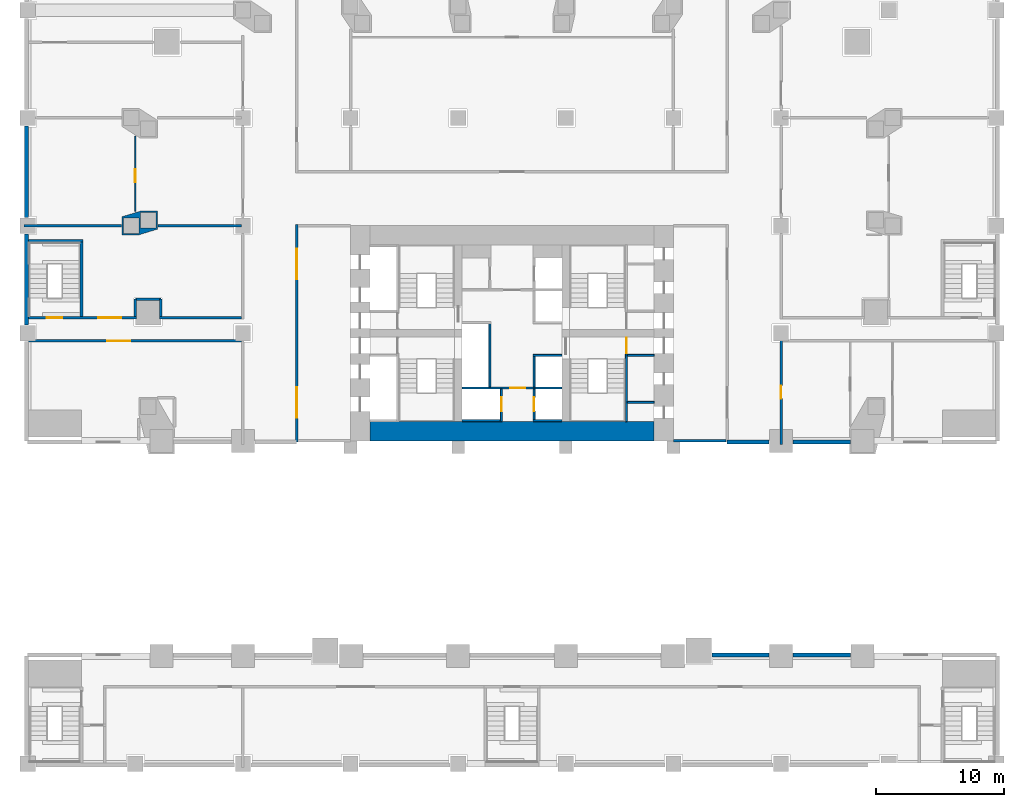
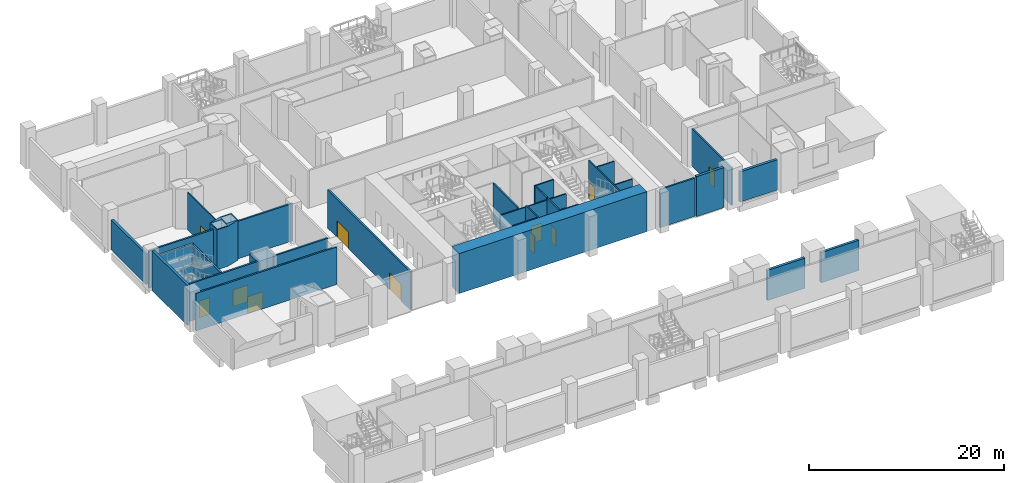
# One storey, part 5 of 16: 33 walls, 11 doors, 11 openings.
"""IFC4 building model written with IfcOpenShell, lengths in metres."""

from ifc_helpers import new_model, si_unit, direction, frame, frame_2d, origin, place, context, subcontext, project, spatial, polyline, rectangle, outline, extrude, material, layer, layer_set, type_object, element, fill, save


model = new_model("IFC4")

# Units and contexts
model_context = context("Model", 3, precision=1e-05, world=origin(), true_north=direction((0.0, 1.0)))
body_context = subcontext(model_context, "Body", "Model", "MODEL_VIEW")
ifc_project = project(units=[si_unit("LENGTHUNIT", "METRE"), si_unit("AREAUNIT", "SQUARE_METRE"), si_unit("VOLUMEUNIT", "CUBIC_METRE"), si_unit("PLANEANGLEUNIT", "RADIAN"), si_unit("MASSUNIT", "GRAM", prefix="KILO")], contexts=[model_context])

# Site, building, storey
site_placement = place(None, origin())
site = spatial("IfcSite", under=ifc_project, at=site_placement, CompositionType="ELEMENT")
building_placement = place(site_placement, origin())
building = spatial("IfcBuilding", under=site, at=building_placement, Name="Marenta Gate Hotel Tower", CompositionType="ELEMENT")
storey_placement = place(building_placement, frame((0.0, 0.0, 21.0)))
storey = spatial("IfcBuildingStorey", under=building, at=storey_placement, Name="L03", CompositionType="ELEMENT", Elevation=21.0)

# Walls
ifc_material_1 = material(Name="Concrete C40 board-marked", Category="concrete")
ifc_layer_1 = layer(ifc_material_1, 0.300048828125)
ifc_layer_set_1 = layer_set([ifc_layer_1], Name="Concrete C40 board-marked")
wall_type_1 = type_object("IfcWallType", Name="Board-marked concrete wall 300 mm", PredefinedType="NOTDEFINED", material=ifc_layer_set_1)
wall_1_placement = place(storey_placement, frame((26.423095703125, -16.7099609375, 0.0), z_axis=(0.0, 0.0, 1.0), x_axis=(-1.0, 0.0, 0.0)))
element("IfcWall", 1, at=wall_1_placement, inside=storey, type_object=wall_type_1, Name="L03-CLD-SB-N001", PredefinedType="NOTDEFINED", context=body_context, shape_type="SweptSolid", body=[
    extrude(rectangle(XDim=4.483154296875, YDim=0.300048828125, at=frame_2d((2.24169921875, 0.0))), origin(), (0.0, 0.0, 1.0), 3.780029296875),
])
wall_2_placement = place(storey_placement, frame((20.06005859375, -16.7099609375, 0.0), z_axis=(0.0, 0.0, 1.0), x_axis=(-1.0, 0.0, 0.0)))
element("IfcWall", 2, at=wall_2_placement, inside=storey, type_object=wall_type_1, Name="L03-CLD-SB-N002", PredefinedType="NOTDEFINED", context=body_context, shape_type="SweptSolid", body=[
    extrude(rectangle(XDim=4.453857421875, YDim=0.300048828125, at=frame_2d((2.22705078125, 0.0))), origin(), (0.0, 0.0, 1.0), 3.780029296875),
])
wall_3_placement = place(storey_placement, frame((16.800048828125, -0.090087890625, 0.0), z_axis=(0.0, 0.0, 1.0), x_axis=(1.0, 0.0, 0.0)))
element("IfcWall", 3, at=wall_3_placement, inside=storey, type_object=wall_type_1, Name="L03-CLD-NB-S100", PredefinedType="NOTDEFINED", context=body_context, shape_type="SweptSolid", body=[
    extrude(rectangle(XDim=3.260009765625, YDim=0.300048828125, at=frame_2d((1.6298828125, 0.0))), origin(), (0.0, 0.0, 1.0), 5.0),
])
wall_4_placement = place(storey_placement, frame((21.93994140625, -0.090087890625, 0.0), z_axis=(0.0, 0.0, 1.0), x_axis=(1.0, 0.0, 0.0)))
element("IfcWall", 4, at=wall_4_placement, inside=storey, type_object=wall_type_1, Name="L03-CLD-NB-S101", PredefinedType="NOTDEFINED", context=body_context, shape_type="SweptSolid", body=[
    extrude(rectangle(XDim=4.483154296875, YDim=0.300048828125, at=frame_2d((2.24169921875, 0.0))), origin(), (0.0, 0.0, 1.0), 3.780029296875),
])
wall_5_placement = place(storey_placement, frame((-37.889892578125, 24.56005859375, 0.0), z_axis=(0.0, 0.0, 1.0), x_axis=(0.0, -1.0, 0.0)))
element("IfcWall", 5, at=wall_5_placement, inside=storey, type_object=wall_type_1, Name="L03-CLD-NB-W002", PredefinedType="NOTDEFINED", context=body_context, shape_type="SweptSolid", body=[
    extrude(rectangle(XDim=7.1201171875, YDim=0.300048828125, at=frame_2d((3.56005859375, 0.0))), origin(), (0.0, 0.0, 1.0), 3.780029296875),
])
wall_6_placement = place(storey_placement, frame((-37.889892578125, 16.159912109375, 0.0), z_axis=(0.0, 0.0, 1.0), x_axis=(0.0, -1.0, 0.0)))
element("IfcWall", 6, at=wall_6_placement, inside=storey, type_object=wall_type_1, Name="L03-CLD-NB-W003", PredefinedType="NOTDEFINED", context=body_context, shape_type="SweptSolid", body=[
    extrude(rectangle(XDim=7.119873046875, YDim=0.300048828125, at=frame_2d((3.56005859375, 0.0))), origin(), (0.0, 0.0, 1.0), 5.0),
])

# Wall, openings, doors
ifc_material_2 = material(Name="Concrete blockwork", Category="masonry")
ifc_layer_2 = layer(ifc_material_2, 0.199951171875)
ifc_layer_set_2 = layer_set([ifc_layer_2], Name="Concrete blockwork")
wall_type_2 = type_object("IfcWallType", Name="Core boundary wall 200 REI 180", PredefinedType="PARTITIONING", material=ifc_layer_set_2)
wall_7_placement = place(storey_placement, frame((-16.800048828125, -0.10009765625, 0.0), z_axis=(0.0, 0.0, 1.0), x_axis=(0.0, 1.0, 0.0)))
wall_7 = element("IfcWall", 7, at=wall_7_placement, inside=storey, type_object=wall_type_2, Name="L03-CP-BW-W", PredefinedType="PARTITIONING", context=body_context, shape_type="SweptSolid", body=[
    extrude(rectangle(XDim=17.0, YDim=0.199951171875, at=frame_2d((8.5, 0.0))), origin(), (0.0, 0.0, 1.0), 4.780029296875),
])
opening_1_placement = place(wall_7_placement, frame((1.89990234375, 0.0, 0.0)))
opening_1 = element("IfcOpeningElement", 8, at=opening_1_placement, cuts=wall_7, Name="Opening ED-Wa-A", PredefinedType="OPENING", context=body_context, shape_type="SweptSolid", body=[
    extrude(rectangle(XDim=2.39990234375, YDim=2.10009765625, at=frame_2d((1.199951171875, 1.050048828125))), frame((0.0, 0.10009765625, 0.0), z_axis=(0.0, -1.0, 0.0), x_axis=(1.0, 0.0, 0.0)), (0.0, 0.0, 1.0), 0.199951171875),
])
opening_2_placement = place(wall_7_placement, frame((12.699951171875, 0.0, 0.0)))
opening_2 = element("IfcOpeningElement", 9, at=opening_2_placement, cuts=wall_7, Name="Opening ED-Wb-A", PredefinedType="OPENING", context=body_context, shape_type="SweptSolid", body=[
    extrude(rectangle(XDim=2.39990234375, YDim=2.10009765625, at=frame_2d((1.199951171875, 1.050048828125))), frame((0.0, 0.10009765625, 0.0), z_axis=(0.0, -1.0, 0.0), x_axis=(1.0, 0.0, 0.0)), (0.0, 0.0, 1.0), 0.199951171875),
])
ifc_material_3 = material(Name="Steel", Category="steel")
door_type_1 = type_object("IfcDoorType", Name="Core lobby entrance door 2400x2100 EI 60", OperationType="DOUBLE_DOOR_SINGLE_SWING", PredefinedType="DOOR", material=ifc_material_3)
door_1_placement = place(opening_1_placement, origin())
door_1 = element("IfcDoor", 10, at=door_1_placement, inside=storey, type_object=door_type_1, Name="ED-Wa-A", OperationType="DOUBLE_DOOR_SINGLE_SWING", OverallHeight=2.10009765625, OverallWidth=2.39990234375, PredefinedType="DOOR", context=body_context, shape_type="SweptSolid", body=[
    extrude(rectangle(XDim=2.39990234375, YDim=2.10009765625, at=frame_2d((1.199951171875, 1.050048828125))), frame((0.0, 0.02490234375, 0.0), z_axis=(0.0, -1.0, 0.0), x_axis=(1.0, 0.0, 0.0)), (0.0, 0.0, 1.0), 0.050048828125),
])
fill(opening_1, door_1)
door_2_placement = place(opening_2_placement, origin())
door_2 = element("IfcDoor", 11, at=door_2_placement, inside=storey, type_object=door_type_1, Name="ED-Wb-A", OperationType="DOUBLE_DOOR_SINGLE_SWING", OverallHeight=2.10009765625, OverallWidth=2.39990234375, PredefinedType="DOOR", context=body_context, shape_type="SweptSolid", body=[
    extrude(rectangle(XDim=2.39990234375, YDim=2.10009765625, at=frame_2d((1.199951171875, 1.050048828125))), frame((0.0, 0.02490234375, 0.0), z_axis=(0.0, -1.0, 0.0), x_axis=(1.0, 0.0, 0.0)), (0.0, 0.0, 1.0), 0.050048828125),
])
fill(opening_2, door_2)

# Wall
wall_8_placement = place(storey_placement, frame((12.60009765625, 0.0, 0.0), z_axis=(0.0, 0.0, 1.0), x_axis=(1.0, 0.0, 0.0)))
element("IfcWall", 12, at=wall_8_placement, inside=storey, type_object=wall_type_2, Name="L03-CP-EW-ES", PredefinedType="PARTITIONING", context=body_context, shape_type="SweptSolid", body=[
    extrude(rectangle(XDim=4.099853515625, YDim=0.199951171875, at=frame_2d((2.0498046875, 0.0))), origin(), (0.0, 0.0, 1.0), 4.780029296875),
])

# Wall, opening, door
ifc_material_4 = material(Name="Concrete blockwork", Category="masonry")
ifc_layer_3 = layer(ifc_material_4, 0.14990234375)
ifc_layer_set_3 = layer_set([ifc_layer_3], Name="Concrete blockwork")
wall_type_3 = type_object("IfcWallType", Name="Core lobby partition 150 REI 180", PredefinedType="PARTITIONING", material=ifc_layer_set_3)
wall_9_placement = place(storey_placement, frame((-3.89990234375, 4.125, 0.0), z_axis=(0.0, 0.0, 1.0), x_axis=(1.0, 0.0, 0.0)))
wall_9 = element("IfcWall", 13, at=wall_9_placement, inside=storey, type_object=wall_type_3, Name="L03-CP-CW-S", PredefinedType="PARTITIONING", context=body_context, shape_type="SweptSolid", body=[
    extrude(rectangle(XDim=7.7998046875, YDim=0.14990234375, at=frame_2d((3.89990234375, 0.0))), origin(), (0.0, 0.0, 1.0), 4.780029296875),
])
opening_3_placement = place(wall_9_placement, frame((3.75, 0.0, 0.0)))
opening_3 = element("IfcOpeningElement", 14, at=opening_3_placement, cuts=wall_9, Name="Opening FD-FFS", PredefinedType="OPENING", context=body_context, shape_type="SweptSolid", body=[
    extrude(rectangle(XDim=1.199951171875, YDim=2.10009765625, at=frame_2d((0.60009765625, 1.050048828125))), frame((0.0, 0.074951171875, 0.0), z_axis=(0.0, -1.0, 0.0), x_axis=(1.0, 0.0, 0.0)), (0.0, 0.0, 1.0), 0.14990234375),
])
ifc_material_5 = material(Name="Steel", Category="steel")
door_type_2 = type_object("IfcDoorType", Name="Core lobby door 1200x2100 FD60", OperationType="SINGLE_SWING_LEFT", PredefinedType="DOOR", material=ifc_material_5)
door_3_placement = place(opening_3_placement, origin())
door_3 = element("IfcDoor", 15, at=door_3_placement, inside=storey, type_object=door_type_2, Name="FD-FFS", OperationType="SINGLE_SWING_LEFT", OverallHeight=2.10009765625, OverallWidth=1.199951171875, PredefinedType="DOOR", context=body_context, shape_type="SweptSolid", body=[
    extrude(rectangle(XDim=1.199951171875, YDim=2.10009765625, at=frame_2d((0.60009765625, 1.050048828125))), frame((0.0, 0.02490234375, 0.0), z_axis=(0.0, -1.0, 0.0), x_axis=(1.0, 0.0, 0.0)), (0.0, 0.0, 1.0), 0.050048828125),
])
fill(opening_3, door_3)

# Walls
ifc_material_6 = material(Name="Concrete blockwork", Category="masonry")
ifc_layer_4 = layer(ifc_material_6, 0.14990234375)
ifc_layer_set_4 = layer_set([ifc_layer_4], Name="Concrete blockwork")
wall_type_4 = type_object("IfcWallType", Name="Core room partition 150 REI 180", PredefinedType="PARTITIONING", material=ifc_layer_set_4)
for number, where, z_axis, x_axis, name in (
    (16, (9.0, 6.675048828125, 0.0), (0.0, 0.0, 1.0), (1.0, 0.0, 0.0), "L03-CP-SW-ES-2"),
    (17, (9.0, 3.0, 0.0), (0.0, 0.0, 1.0), (1.0, 0.0, 0.0), "L03-CP-RW-ES-1"),
):
    element("IfcWall", number, at=place(storey_placement, frame(where, z_axis=z_axis, x_axis=x_axis)), inside=storey, type_object=wall_type_4, Name=name, PredefinedType="PARTITIONING", context=body_context, shape_type="SweptSolid", body=[
        extrude(rectangle(XDim=2.10009765625, YDim=0.14990234375, at=frame_2d((1.050048828125, 0.0))), origin(), (0.0, 0.0, 1.0), 4.780029296875),
    ])

# Wall, opening, door
ifc_material_7 = material(Name="Concrete C40", Category="concrete")
ifc_layer_5 = layer(ifc_material_7, 0.14990234375)
ifc_layer_set_5 = layer_set([ifc_layer_5], Name="Concrete C40")
wall_type_5 = type_object("IfcWallType", Name="Core shaft wall 150 REI 180", PredefinedType="SHEAR", material=ifc_layer_set_5)
wall_10_placement = place(storey_placement, frame((-0.824951171875, 1.5, 0.0), z_axis=(0.0, 0.0, 1.0), x_axis=(0.0, 1.0, 0.0)))
wall_10 = element("IfcWall", 18, at=wall_10_placement, inside=storey, type_object=wall_type_5, Name="L03-SHF-CW-W-ff", PredefinedType="SHEAR", context=body_context, shape_type="SweptSolid", body=[
    extrude(rectangle(XDim=2.550048828125, YDim=0.14990234375, at=frame_2d((1.27490234375, 0.0))), origin(), (0.0, 0.0, 1.0), 5.0),
])
opening_4_placement = place(wall_10_placement, frame((0.800048828125, 0.0, 0.0)))
opening_4 = element("IfcOpeningElement", 19, at=opening_4_placement, cuts=wall_10, Name="Opening LD-FF1", PredefinedType="OPENING", context=body_context, shape_type="SweptSolid", body=[
    extrude(rectangle(XDim=1.10009765625, YDim=2.10009765625, at=frame_2d((0.550048828125, 1.050048828125))), frame((0.0, 0.074951171875, 0.0), z_axis=(0.0, -1.0, 0.0), x_axis=(1.0, 0.0, 0.0)), (0.0, 0.0, 1.0), 0.14990234375),
])
ifc_material_8 = material(Name="Steel", Category="steel")
door_type_3 = type_object("IfcDoorType", Name="Core lift landing door 1100x2100 E 60", OperationType="SLIDING_TO_LEFT", PredefinedType="DOOR", material=ifc_material_8)
door_4_placement = place(opening_4_placement, origin())
door_4 = element("IfcDoor", 20, at=door_4_placement, inside=storey, type_object=door_type_3, Name="LD-FF1", OperationType="SLIDING_TO_LEFT", OverallHeight=2.10009765625, OverallWidth=1.10009765625, PredefinedType="DOOR", context=body_context, shape_type="SweptSolid", body=[
    extrude(rectangle(XDim=1.10009765625, YDim=2.10009765625, at=frame_2d((0.550048828125, 1.050048828125))), frame((0.0, 0.02490234375, 0.0), z_axis=(0.0, -1.0, 0.0), x_axis=(1.0, 0.0, 0.0)), (0.0, 0.0, 1.0), 0.050048828125),
])
fill(opening_4, door_4)

# Walls
wall_11_placement = place(storey_placement, frame((-3.89990234375, 1.574951171875, 0.0), z_axis=(0.0, 0.0, 1.0), x_axis=(1.0, 0.0, 0.0)))
element("IfcWall", 21, at=wall_11_placement, inside=storey, type_object=wall_type_5, Name="L03-SHF-CW-W-ffs", PredefinedType="SHEAR", context=body_context, shape_type="SweptSolid", body=[
    extrude(rectangle(XDim=3.0, YDim=0.14990234375, at=frame_2d((1.5, 0.0))), origin(), (0.0, 0.0, 1.0), 5.0),
])
wall_12_placement = place(storey_placement, frame((-1.72509765625, 4.199951171875, 0.0), z_axis=(0.0, 0.0, 1.0), x_axis=(0.0, 1.0, 0.0)))
element("IfcWall", 22, at=wall_12_placement, inside=storey, type_object=wall_type_5, Name="L03-SHF-CW-W-front", PredefinedType="SHEAR", context=body_context, shape_type="SweptSolid", body=[
    extrude(rectangle(XDim=4.949951171875, YDim=0.14990234375, at=frame_2d((2.47509765625, 0.0))), origin(), (0.0, 0.0, 1.0), 5.0),
])

# Wall, opening, door
wall_13_placement = place(storey_placement, frame((1.72509765625, 1.64990234375, 0.0), z_axis=(0.0, 0.0, 1.0), x_axis=(0.0, 1.0, 0.0)))
wall_13 = element("IfcWall", 23, at=wall_13_placement, inside=storey, type_object=wall_type_5, Name="L03-SHF-CE-S-ls", PredefinedType="SHEAR", context=body_context, shape_type="SweptSolid", body=[
    extrude(rectangle(XDim=2.400146484375, YDim=0.14990234375, at=frame_2d((1.2001953125, 0.0))), origin(), (0.0, 0.0, 1.0), 5.0),
])
opening_5_placement = place(wall_13_placement, frame((0.64990234375, 0.0, 0.0)))
opening_5 = element("IfcOpeningElement", 24, at=opening_5_placement, cuts=wall_13, Name="Opening LD-SV1", PredefinedType="OPENING", context=body_context, shape_type="SweptSolid", body=[
    extrude(rectangle(XDim=1.10009765625, YDim=2.10009765625, at=frame_2d((0.550048828125, 1.050048828125))), frame((0.0, 0.074951171875, 0.0), z_axis=(0.0, -1.0, 0.0), x_axis=(1.0, 0.0, 0.0)), (0.0, 0.0, 1.0), 0.14990234375),
])
door_5_placement = place(opening_5_placement, origin())
door_5 = element("IfcDoor", 25, at=door_5_placement, inside=storey, type_object=door_type_3, Name="LD-SV1", OperationType="SLIDING_TO_LEFT", OverallHeight=2.10009765625, OverallWidth=1.10009765625, PredefinedType="DOOR", context=body_context, shape_type="SweptSolid", body=[
    extrude(rectangle(XDim=1.10009765625, YDim=2.10009765625, at=frame_2d((0.550048828125, 1.050048828125))), frame((0.0, 0.02490234375, 0.0), z_axis=(0.0, -1.0, 0.0), x_axis=(1.0, 0.0, 0.0)), (0.0, 0.0, 1.0), 0.050048828125),
])
fill(opening_5, door_5)

# Walls
for number, where, z_axis, x_axis, name in (
    (26, (1.64990234375, 1.574951171875, 0.0), (0.0, 0.0, 1.0), (1.0, 0.0, 0.0), "L03-SHF-CE-S-bot"),
    (27, (1.64990234375, 6.675048828125, 0.0), (0.0, 0.0, 1.0), (1.0, 0.0, 0.0), "L03-SHF-CE-sep1"),
):
    element("IfcWall", number, at=place(storey_placement, frame(where, z_axis=z_axis, x_axis=x_axis)), inside=storey, type_object=wall_type_5, Name=name, PredefinedType="SHEAR", context=body_context, shape_type="SweptSolid", body=[
        extrude(rectangle(XDim=2.25, YDim=0.14990234375, at=frame_2d((1.125, 0.0))), origin(), (0.0, 0.0, 1.0), 5.0),
    ])
wall_14_placement = place(storey_placement, frame((1.72509765625, 4.199951171875, 0.0), z_axis=(0.0, 0.0, 1.0), x_axis=(0.0, 1.0, 0.0)))
element("IfcWall", 28, at=wall_14_placement, inside=storey, type_object=wall_type_5, Name="L03-SHF-CE-front-1", PredefinedType="SHEAR", context=body_context, shape_type="SweptSolid", body=[
    extrude(rectangle(XDim=2.400146484375, YDim=0.14990234375, at=frame_2d((1.2001953125, 0.0))), origin(), (0.0, 0.0, 1.0), 5.0),
])

# Wall, opening, door
ifc_material_9 = material(Name="Concrete C40", Category="concrete")
ifc_layer_6 = layer(ifc_material_9, 0.14990234375)
ifc_layer_set_6 = layer_set([ifc_layer_6], Name="Concrete C40")
wall_type_6 = type_object("IfcWallType", Name="Core stair enclosure wall 150 REI 180", PredefinedType="SHEAR", material=ifc_layer_set_6)
wall_15_placement = place(storey_placement, frame((8.925048828125, 1.5, 0.0), z_axis=(0.0, 0.0, 1.0), x_axis=(0.0, 1.0, 0.0)))
wall_15 = element("IfcWall", 29, at=wall_15_placement, inside=storey, type_object=wall_type_6, Name="L03-SHF-SW-ES-3", PredefinedType="SHEAR", context=body_context, shape_type="SweptSolid", body=[
    extrude(rectangle(XDim=6.60009765625, YDim=0.14990234375, at=frame_2d((3.300048828125, 0.0))), origin(), (0.0, 0.0, 1.0), 4.780029296875),
])
opening_6_placement = place(wall_15_placement, frame((5.324951171875, 0.0, 0.0)))
opening_6 = element("IfcOpeningElement", 30, at=opening_6_placement, cuts=wall_15, Name="Opening SD-ES", PredefinedType="OPENING", context=body_context, shape_type="SweptSolid", body=[
    extrude(rectangle(XDim=1.199951171875, YDim=2.10009765625, at=frame_2d((0.60009765625, 1.050048828125))), frame((0.0, 0.074951171875, 0.0), z_axis=(0.0, -1.0, 0.0), x_axis=(1.0, 0.0, 0.0)), (0.0, 0.0, 1.0), 0.14990234375),
])
ifc_material_10 = material(Name="Steel", Category="steel")
door_type_4 = type_object("IfcDoorType", Name="Core stair door 1200x2100 FD60", OperationType="SINGLE_SWING_LEFT", PredefinedType="DOOR", material=ifc_material_10)
door_6_placement = place(opening_6_placement, origin())
door_6 = element("IfcDoor", 31, at=door_6_placement, inside=storey, type_object=door_type_4, Name="SD-ES", OperationType="SINGLE_SWING_LEFT", OverallHeight=2.10009765625, OverallWidth=1.199951171875, PredefinedType="DOOR", context=body_context, shape_type="SweptSolid", body=[
    extrude(rectangle(XDim=1.199951171875, YDim=2.10009765625, at=frame_2d((0.60009765625, 1.050048828125))), frame((0.0, 0.02490234375, 0.0), z_axis=(0.0, -1.0, 0.0), x_axis=(1.0, 0.0, 0.0)), (0.0, 0.0, 1.0), 0.050048828125),
])
fill(opening_6, door_6)

# Walls
ifc_material_11 = material(Name="Concrete C80", Category="concrete")
ifc_layer_7 = layer(ifc_material_11, 1.5)
ifc_layer_set_7 = layer_set([ifc_layer_7], Name="Concrete C80")
wall_type_7 = type_object("IfcWallType", Name="Core wall 1500 C80", PredefinedType="SHEAR", material=ifc_layer_set_7)
wall_16_placement = place(storey_placement, frame((-11.10009765625, 0.75, 0.0), z_axis=(0.0, 0.0, 1.0), x_axis=(1.0, 0.0, 0.0)))
element("IfcWall", 32, at=wall_16_placement, inside=storey, type_object=wall_type_7, Name="L03-CORE-S", PredefinedType="SHEAR", context=body_context, shape_type="SweptSolid", body=[
    extrude(rectangle(XDim=22.2001953125, YDim=1.5, at=frame_2d((11.10009765625, 0.0))), origin(), (0.0, 0.0, 1.0), 5.0),
])
ifc_material_12 = material(Name="Concrete C70", Category="concrete")
ifc_layer_8 = layer(ifc_material_12, 1.60009765625)
ifc_layer_set_8 = layer_set([ifc_layer_8], Name="Concrete C70")
wall_type_8 = type_object("IfcWallType", Name="Pier wall board-marked concrete C70", PredefinedType="SOLIDWALL", material=ifc_layer_set_8)
wall_17_placement = place(storey_placement, origin())
element("IfcWall", 33, at=wall_17_placement, inside=storey, type_object=wall_type_8, Name="L03-PIER-2", PredefinedType="SOLIDWALL", context=body_context, shape_type="SweptSolid", body=[
    extrude(outline(polyline([(-30.43994140625, 17.48876953125), (-29.017822265625, 17.923095703125), (-27.679931640625, 17.923095703125), (-27.679931640625, 16.514404296875), (-29.10205078125, 16.080078125), (-30.43994140625, 16.080078125), (-30.43994140625, 17.48876953125)]), holes=[polyline([(-29.0, 16.603271484375), (-27.800048828125, 16.603271484375), (-27.800048828125, 17.80322265625), (-29.0, 17.80322265625), (-29.0, 16.603271484375)]), polyline([(-30.320068359375, 16.199951171875), (-29.1201171875, 16.199951171875), (-29.1201171875, 17.39990234375), (-30.320068359375, 17.39990234375), (-30.320068359375, 16.199951171875)])]), origin(), (0.0, 0.0, 1.0), 5.0),
])

# Wall, opening, door
ifc_material_13 = material(Name="Gypsum board on steel stud", Category="steel")
ifc_layer_9 = layer(ifc_material_13, 0.199951171875)
ifc_layer_set_9 = layer_set([ifc_layer_9], Name="Gypsum board on steel stud")
wall_type_9 = type_object("IfcWallType", Name="Room corridor wall 200 EI 60", PredefinedType="PARTITIONING", material=ifc_layer_set_9)
wall_18_placement = place(storey_placement, frame((21.0, -0.300048828125, 0.0), z_axis=(0.0, 0.0, 1.0), x_axis=(0.0, 1.0, 0.0)))
wall_18 = element("IfcWall", 34, at=wall_18_placement, inside=storey, type_object=wall_type_9, Name="L03-PTN-W017", PredefinedType="PARTITIONING", context=body_context, shape_type="SweptSolid", body=[
    extrude(rectangle(XDim=8.199951171875, YDim=0.199951171875, at=frame_2d((4.10009765625, 0.0))), origin(), (0.0, 0.0, 1.0), 4.679931640625),
])
opening_7_placement = place(wall_18_placement, frame((3.60009765625, 0.0, 0.0)))
opening_7 = element("IfcOpeningElement", 35, at=opening_7_placement, cuts=wall_18, Name="Opening S04-08", PredefinedType="OPENING", context=body_context, shape_type="SweptSolid", body=[
    extrude(rectangle(XDim=1.0, YDim=2.10009765625, at=frame_2d((0.5, 1.050048828125))), frame((0.0, 0.10009765625, 0.0), z_axis=(0.0, -1.0, 0.0), x_axis=(1.0, 0.0, 0.0)), (0.0, 0.0, 1.0), 0.199951171875),
])
ifc_material_14 = material(Name="Timber door leaf", Category="wood")
door_type_5 = type_object("IfcDoorType", Name="Toilet room door 1000x2100 EI 30", OperationType="NOTDEFINED", PredefinedType="DOOR", material=ifc_material_14)
door_7_placement = place(opening_7_placement, origin())
door_7 = element("IfcDoor", 36, at=door_7_placement, inside=storey, type_object=door_type_5, Name="L03-PD-D008", OperationType="SINGLE_SWING_RIGHT", OverallHeight=2.10009765625, OverallWidth=1.0, PredefinedType="DOOR", context=body_context, shape_type="SweptSolid", body=[
    extrude(rectangle(XDim=1.0, YDim=2.10009765625, at=frame_2d((0.5, 1.050048828125))), frame((0.0, 0.02490234375, 0.0), z_axis=(0.0, -1.0, 0.0), x_axis=(1.0, 0.0, 0.0)), (0.0, 0.0, 1.0), 0.050048828125),
])
fill(opening_7, door_7)

# Walls
for number, where, z_axis, x_axis, name in (
    (37, (-27.39990234375, 9.699951171875, 0.0), (0.0, 0.0, 1.0), (0.0, 1.0, 0.0), "L03-PTN-W066"),
    (38, (-29.39990234375, 9.699951171875, 0.0), (0.0, 0.0, 1.0), (0.0, 1.0, 0.0), "L03-PTN-W069"),
):
    element("IfcWall", number, at=place(storey_placement, frame(where, z_axis=z_axis, x_axis=x_axis)), inside=storey, type_object=wall_type_9, Name=name, PredefinedType="PARTITIONING", context=body_context, shape_type="SweptSolid", body=[
        extrude(rectangle(XDim=1.35205078125, YDim=0.199951171875, at=frame_2d((0.676025390625, 0.0))), origin(), (0.0, 0.0, 1.0), 4.679931640625),
    ])

# Wall, opening, door
ifc_material_15 = material(Name="Concrete blockwork", Category="masonry")
ifc_layer_10 = layer(ifc_material_15, 0.199951171875)
ifc_layer_set_10 = layer_set([ifc_layer_10], Name="Concrete blockwork")
wall_type_10 = type_object("IfcWallType", Name="Room corridor wall 200 REI 180", PredefinedType="PARTITIONING", material=ifc_layer_set_10)
wall_19_placement = place(storey_placement, frame((-37.739990234375, 7.800048828125, 0.0), z_axis=(0.0, 0.0, 1.0), x_axis=(1.0, 0.0, 0.0)))
wall_19 = element("IfcWall", 39, at=wall_19_placement, inside=storey, type_object=wall_type_10, Name="L03-PTN-W034", PredefinedType="PARTITIONING", context=body_context, shape_type="SweptSolid", body=[
    extrude(rectangle(XDim=16.639892578125, YDim=0.199951171875, at=frame_2d((8.31982421875, 0.0))), origin(), (0.0, 0.0, 1.0), 4.679931640625),
])
opening_8_placement = place(wall_19_placement, frame((6.139892578125, 0.0, 0.0)))
opening_8 = element("IfcOpeningElement", 40, at=opening_8_placement, cuts=wall_19, Name="Opening S04-03", PredefinedType="OPENING", context=body_context, shape_type="SweptSolid", body=[
    extrude(rectangle(XDim=1.800048828125, YDim=2.10009765625, at=frame_2d((0.89990234375, 1.050048828125))), frame((0.0, 0.10009765625, 0.0), z_axis=(0.0, -1.0, 0.0), x_axis=(1.0, 0.0, 0.0)), (0.0, 0.0, 1.0), 0.199951171875),
])
ifc_material_16 = material(Name="Timber door leaf", Category="wood")
door_type_6 = type_object("IfcDoorType", Name="Room amenity door 1800x2100 EI 60", OperationType="DOUBLE_DOOR_SINGLE_SWING", PredefinedType="DOOR", material=ifc_material_16)
door_8_placement = place(opening_8_placement, origin())
door_8 = element("IfcDoor", 41, at=door_8_placement, inside=storey, type_object=door_type_6, Name="L03-PD-D003", OperationType="DOUBLE_DOOR_SINGLE_SWING", OverallHeight=2.10009765625, OverallWidth=1.800048828125, PredefinedType="DOOR", context=body_context, shape_type="SweptSolid", body=[
    extrude(rectangle(XDim=1.800048828125, YDim=2.10009765625, at=frame_2d((0.89990234375, 1.050048828125))), frame((0.0, 0.02490234375, 0.0), z_axis=(0.0, -1.0, 0.0), x_axis=(1.0, 0.0, 0.0)), (0.0, 0.0, 1.0), 0.050048828125),
])
fill(opening_8, door_8)

# Wall, openings, doors
wall_20_placement = place(storey_placement, frame((-37.739990234375, 9.60009765625, 0.0), z_axis=(0.0, 0.0, 1.0), x_axis=(1.0, 0.0, 0.0)))
wall_20 = element("IfcWall", 42, at=wall_20_placement, inside=storey, type_object=wall_type_10, Name="L03-PTN-W036", PredefinedType="PARTITIONING", context=body_context, shape_type="SweptSolid", body=[
    extrude(rectangle(XDim=8.43994140625, YDim=0.199951171875, at=frame_2d((4.219970703125, 0.0))), origin(), (0.0, 0.0, 1.0), 4.679931640625),
])
opening_9_placement = place(wall_20_placement, frame((5.43994140625, 0.0, 0.0)))
opening_9 = element("IfcOpeningElement", 43, at=opening_9_placement, cuts=wall_20, Name="Opening S04-04", PredefinedType="OPENING", context=body_context, shape_type="SweptSolid", body=[
    extrude(rectangle(XDim=1.800048828125, YDim=2.10009765625, at=frame_2d((0.89990234375, 1.050048828125))), frame((0.0, 0.10009765625, 0.0), z_axis=(0.0, -1.0, 0.0), x_axis=(1.0, 0.0, 0.0)), (0.0, 0.0, 1.0), 0.199951171875),
])
opening_10_placement = place(wall_20_placement, frame((1.43994140625, 0.0, 0.0)))
opening_10 = element("IfcOpeningElement", 44, at=opening_10_placement, cuts=wall_20, Name="Opening S04-29", PredefinedType="OPENING", context=body_context, shape_type="SweptSolid", body=[
    extrude(rectangle(XDim=1.199951171875, YDim=2.10009765625, at=frame_2d((0.60009765625, 1.050048828125))), frame((0.0, 0.10009765625, 0.0), z_axis=(0.0, -1.0, 0.0), x_axis=(1.0, 0.0, 0.0)), (0.0, 0.0, 1.0), 0.199951171875),
])
ifc_material_17 = material(Name="Hollow steel door set", Category="steel")
door_type_7 = type_object("IfcDoorType", Name="Podium stair door 1200x2100 EI 60", OperationType="NOTDEFINED", PredefinedType="DOOR", material=ifc_material_17)
door_9_placement = place(opening_10_placement, origin())
door_9 = element("IfcDoor", 45, at=door_9_placement, inside=storey, type_object=door_type_7, Name="L03-PD-D029", OperationType="SINGLE_SWING_RIGHT", OverallHeight=2.10009765625, OverallWidth=1.199951171875, PredefinedType="DOOR", context=body_context, shape_type="SweptSolid", body=[
    extrude(rectangle(XDim=1.199951171875, YDim=2.10009765625, at=frame_2d((0.60009765625, 1.050048828125))), frame((0.0, 0.02490234375, 0.0), z_axis=(0.0, -1.0, 0.0), x_axis=(1.0, 0.0, 0.0)), (0.0, 0.0, 1.0), 0.050048828125),
])
fill(opening_10, door_9)
door_10_placement = place(opening_9_placement, origin())
door_10 = element("IfcDoor", 46, at=door_10_placement, inside=storey, type_object=door_type_6, Name="L03-PD-D004", OperationType="DOUBLE_DOOR_SINGLE_SWING", OverallHeight=2.10009765625, OverallWidth=1.800048828125, PredefinedType="DOOR", context=body_context, shape_type="SweptSolid", body=[
    extrude(rectangle(XDim=1.800048828125, YDim=2.10009765625, at=frame_2d((0.89990234375, 1.050048828125))), frame((0.0, 0.02490234375, 0.0), z_axis=(0.0, -1.0, 0.0), x_axis=(1.0, 0.0, 0.0)), (0.0, 0.0, 1.0), 0.050048828125),
])
fill(opening_9, door_10)

# Wall
wall_21_placement = place(storey_placement, frame((-27.5, 9.60009765625, 0.0), z_axis=(0.0, 0.0, 1.0), x_axis=(1.0, 0.0, 0.0)))
element("IfcWall", 47, at=wall_21_placement, inside=storey, type_object=wall_type_10, Name="L03-PTN-W037", PredefinedType="PARTITIONING", context=body_context, shape_type="SweptSolid", body=[
    extrude(rectangle(XDim=6.39990234375, YDim=0.199951171875, at=frame_2d((3.199951171875, 0.0))), origin(), (0.0, 0.0, 1.0), 4.679931640625),
])

# Wall, opening, door
ifc_material_18 = material(Name="Gypsum board on steel stud", Category="steel")
ifc_layer_11 = layer(ifc_material_18, 0.10009765625)
ifc_layer_set_11 = layer_set([ifc_layer_11], Name="Gypsum board on steel stud")
wall_type_11 = type_object("IfcWallType", Name="Room partition 100", PredefinedType="PARTITIONING", material=ifc_layer_set_11)
wall_22_placement = place(storey_placement, frame((-29.39990234375, 17.923095703125, 0.0), z_axis=(0.0, 0.0, 1.0), x_axis=(0.0, 1.0, 0.0)))
wall_22 = element("IfcWall", 48, at=wall_22_placement, inside=storey, type_object=wall_type_11, Name="L03-PTN-W070", PredefinedType="PARTITIONING", context=body_context, shape_type="SweptSolid", body=[
    extrude(rectangle(XDim=5.865966796875, YDim=0.10009765625, at=frame_2d((2.93310546875, 0.0))), origin(), (0.0, 0.0, 1.0), 4.679931640625),
])
opening_11_placement = place(wall_22_placement, frame((2.261962890625, 0.0, 0.0)))
opening_11 = element("IfcOpeningElement", 49, at=opening_11_placement, cuts=wall_22, Name="Opening S04-06", PredefinedType="OPENING", context=body_context, shape_type="SweptSolid", body=[
    extrude(rectangle(XDim=1.0, YDim=2.10009765625, at=frame_2d((0.5, 1.050048828125))), frame((0.0, 0.050048828125, 0.0), z_axis=(0.0, -1.0, 0.0), x_axis=(1.0, 0.0, 0.0)), (0.0, 0.0, 1.0), 0.10009765625),
])
ifc_material_19 = material(Name="Timber door leaf", Category="wood")
door_type_8 = type_object("IfcDoorType", Name="Room inner door 1000x2100", OperationType="NOTDEFINED", PredefinedType="DOOR", material=ifc_material_19)
door_11_placement = place(opening_11_placement, origin())
door_11 = element("IfcDoor", 50, at=door_11_placement, inside=storey, type_object=door_type_8, Name="L03-PD-D006", OperationType="SINGLE_SWING_LEFT", OverallHeight=2.10009765625, OverallWidth=1.0, PredefinedType="DOOR", context=body_context, shape_type="SweptSolid", body=[
    extrude(rectangle(XDim=1.0, YDim=2.10009765625, at=frame_2d((0.5, 1.050048828125))), frame((0.0, 0.02490234375, 0.0), z_axis=(0.0, -1.0, 0.0), x_axis=(1.0, 0.0, 0.0)), (0.0, 0.0, 1.0), 0.050048828125),
])
fill(opening_11, door_11)

# Walls
ifc_material_20 = material(Name="Gypsum board on steel stud", Category="steel")
ifc_layer_12 = layer(ifc_material_20, 0.199951171875)
ifc_layer_set_12 = layer_set([ifc_layer_12], Name="Gypsum board on steel stud")
wall_type_12 = type_object("IfcWallType", Name="Room party wall 200 EI 60", PredefinedType="PARTITIONING", material=ifc_layer_set_12)
wall_23_placement = place(storey_placement, frame((-29.402099609375, 11.050048828125, 0.0), z_axis=(0.0, 0.0, 1.0), x_axis=(1.0, 0.0, 0.0)))
element("IfcWall", 51, at=wall_23_placement, inside=storey, type_object=wall_type_12, Name="L03-PTN-W040", PredefinedType="PARTITIONING", context=body_context, shape_type="SweptSolid", body=[
    extrude(rectangle(XDim=2.004150390625, YDim=0.199951171875, at=frame_2d((1.001953125, 0.0))), origin(), (0.0, 0.0, 1.0), 4.679931640625),
])
wall_24_placement = place(storey_placement, frame((-38.10009765625, 16.800048828125, 0.0), z_axis=(0.0, 0.0, 1.0), x_axis=(1.0, 0.0, 0.0)))
element("IfcWall", 52, at=wall_24_placement, inside=storey, type_object=wall_type_12, Name="L03-PTN-W050", PredefinedType="PARTITIONING", context=body_context, shape_type="SweptSolid", body=[
    extrude(rectangle(XDim=7.610107421875, YDim=0.199951171875, at=frame_2d((3.80517578125, 0.0))), origin(), (0.0, 0.0, 1.0), 4.679931640625),
])
wall_25_placement = place(storey_placement, frame((-27.6298828125, 16.800048828125, 0.0), z_axis=(0.0, 0.0, 1.0), x_axis=(1.0, 0.0, 0.0)))
element("IfcWall", 53, at=wall_25_placement, inside=storey, type_object=wall_type_12, Name="L03-PTN-W051", PredefinedType="PARTITIONING", context=body_context, shape_type="SweptSolid", body=[
    extrude(rectangle(XDim=6.52978515625, YDim=0.199951171875, at=frame_2d((3.264892578125, 0.0))), origin(), (0.0, 0.0, 1.0), 4.679931640625),
])
ifc_material_21 = material(Name="Concrete blockwork", Category="masonry")
ifc_layer_13 = layer(ifc_material_21, 0.199951171875)
ifc_layer_set_13 = layer_set([ifc_layer_13], Name="Concrete blockwork")
wall_type_13 = type_object("IfcWallType", Name="Room party wall 200 REI 180", PredefinedType="PARTITIONING", material=ifc_layer_set_13)
wall_26_placement = place(storey_placement, frame((-37.739990234375, 15.60009765625, 0.0), z_axis=(0.0, 0.0, 1.0), x_axis=(1.0, 0.0, 0.0)))
element("IfcWall", 54, at=wall_26_placement, inside=storey, type_object=wall_type_13, Name="L03-PTN-W044", PredefinedType="PARTITIONING", context=body_context, shape_type="SweptSolid", body=[
    extrude(rectangle(XDim=4.239990234375, YDim=0.199951171875, at=frame_2d((2.1201171875, 0.0))), origin(), (0.0, 0.0, 1.0), 4.679931640625),
])
wall_27_placement = place(storey_placement, frame((-33.60009765625, 9.699951171875, 0.0), z_axis=(0.0, 0.0, 1.0), x_axis=(0.0, 1.0, 0.0)))
element("IfcWall", 55, at=wall_27_placement, inside=storey, type_object=wall_type_13, Name="L03-PTN-W077", PredefinedType="PARTITIONING", context=body_context, shape_type="SweptSolid", body=[
    extrude(rectangle(XDim=5.800048828125, YDim=0.199951171875, at=frame_2d((2.89990234375, 0.0))), origin(), (0.0, 0.0, 1.0), 4.679931640625),
])

save(model, "model.ifc")
